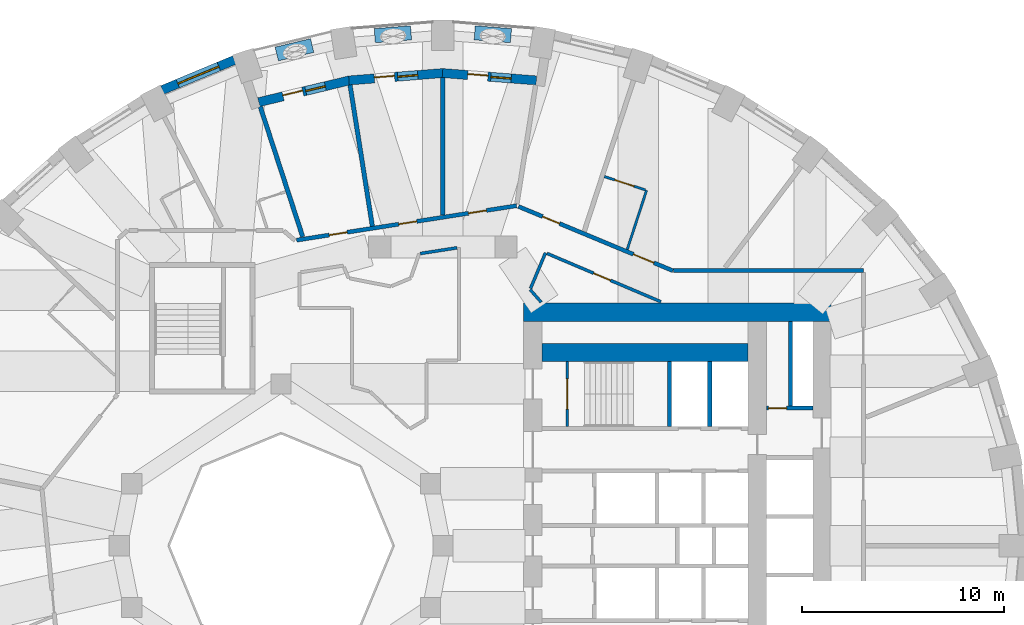
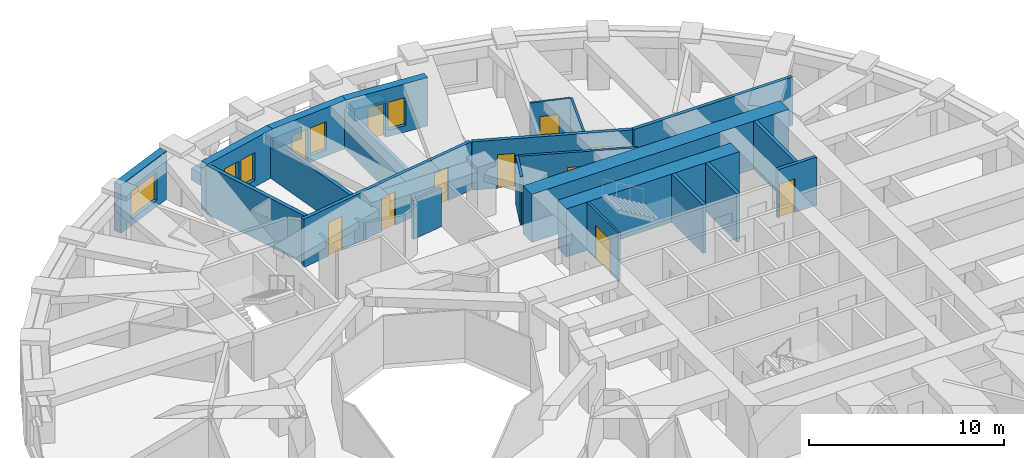
# One storey, part 8 of 13: 26 walls, 12 doors, 4 windows, 16 openings.
"""IFC4 building model written with IfcOpenShell, lengths in metres."""

from ifc_helpers import new_model, si_unit, direction, frame, frame_2d, origin, place, context, subcontext, project, spatial, rectangle, extrude, material, layer, layer_set, constituent, constituent_set, type_object, element, fill, save


model = new_model("IFC4")

# Units and contexts
model_context = context("Model", 3, precision=1e-05, world=origin(), true_north=direction((0.0, 1.0)))
body_context = subcontext(model_context, "Body", "Model", "MODEL_VIEW")
ifc_project = project(units=[si_unit("LENGTHUNIT", "METRE"), si_unit("AREAUNIT", "SQUARE_METRE"), si_unit("VOLUMEUNIT", "CUBIC_METRE"), si_unit("PLANEANGLEUNIT", "RADIAN"), si_unit("MASSUNIT", "GRAM", prefix="KILO")], contexts=[model_context])

# Site, building, storey
site_placement = place(None, origin())
site = spatial("IfcSite", under=ifc_project, at=site_placement, CompositionType="ELEMENT")
building_placement = place(site_placement, origin())
building = spatial("IfcBuilding", under=site, at=building_placement, Name="Taillehof Tower", CompositionType="ELEMENT")
storey_placement = place(building_placement, frame((0.0, 0.0, 51.39990234375)))
storey = spatial("IfcBuildingStorey", under=building, at=storey_placement, Name="L13", CompositionType="ELEMENT", Elevation=51.39990234375)

# Wall, opening, window
ifc_material_1 = material(Name="Brick masonry", Category="masonry")
ifc_layer_1 = layer(ifc_material_1, 0.449951171875)
ifc_layer_set_1 = layer_set([ifc_layer_1], Name="Brick infill wall 450")
wall_type_1 = type_object("IfcWallType", Name="Brick infill wall 450", PredefinedType="SOLIDWALL", material=ifc_layer_set_1)
wall_1_placement = place(storey_placement, frame((-10.3154296875, 24.02099609375, 0.0), z_axis=(0.0, 0.0, 1.0), x_axis=(-0.923031964282, -0.384723267966, 0.0)))
wall_1 = element("IfcWall", 1, at=wall_1_placement, inside=storey, type_object=wall_type_1, Name="Brick wall L13 bay 12", PredefinedType="SOLIDWALL", context=body_context, shape_type="SweptSolid", body=[
    extrude(rectangle(XDim=3.8564453125, YDim=0.449951171875, at=frame_2d((1.92822265625, 0.0))), origin(), (0.0, 0.0, 1.0), 3.02001953125),
])
opening_1_placement = place(wall_1_placement, frame((0.828125, 0.0, 0.39990234375)))
opening_1 = element("IfcOpeningElement", 2, at=opening_1_placement, cuts=wall_1, Name="Opening W1", PredefinedType="OPENING", context=body_context, shape_type="SweptSolid", body=[
    extrude(rectangle(XDim=2.199951171875, YDim=1.75, at=frame_2d((1.10009765625, 0.875))), frame((0.0, 0.23486328125, 0.0), z_axis=(0.0, -1.0, 0.0), x_axis=(1.0, 0.0, 0.0)), (0.0, 0.0, 1.0), 0.469970703125),
])
ifc_material_2 = material(Name="Aluminium window frame with clear double glazing", Category="aluminium")
window_type_1 = type_object("IfcWindowType", Name="Deep-set window 2200x1750", PartitioningType="SINGLE_PANEL", PredefinedType="WINDOW", material=ifc_material_2)
window_1_placement = place(opening_1_placement, origin())
window_1 = element("IfcWindow", 3, at=window_1_placement, inside=storey, type_object=window_type_1, Name="W1", OverallHeight=1.75, OverallWidth=2.199951171875, PartitioningType="SINGLE_PANEL", PredefinedType="WINDOW", context=body_context, shape_type="SweptSolid", body=[
    extrude(rectangle(XDim=2.199951171875, YDim=1.75, at=frame_2d((1.10009765625, 0.875))), frame((0.0, 0.034912109375, 0.0), z_axis=(0.0, -1.0, 0.0), x_axis=(1.0, 0.0, 0.0)), (0.0, 0.0, 1.0), 0.06005859375),
])
fill(opening_1, window_1)

# Wall, openings, door, window
wall_2_placement = place(storey_placement, frame((4.625732421875, 23.011474609375, 0.0), z_axis=(0.0, 0.0, 1.0), x_axis=(-0.996937095772, 0.078207589615, 0.0)))
wall_2 = element("IfcWall", 4, at=wall_2_placement, inside=storey, type_object=wall_type_1, Name="Brick wall L13 pocket bay 9", PredefinedType="SOLIDWALL", context=body_context, shape_type="SweptSolid", body=[
    extrude(rectangle(XDim=4.657470703125, YDim=0.449951171875, at=frame_2d((2.32861328125, 0.0))), origin(), (0.0, 0.0, 1.0), 3.02001953125),
])
opening_2_placement = place(wall_2_placement, frame((1.25390625, 0.0, 0.39990234375)))
opening_2 = element("IfcOpeningElement", 5, at=opening_2_placement, cuts=wall_2, Name="Opening W5", PredefinedType="OPENING", context=body_context, shape_type="SweptSolid", body=[
    extrude(rectangle(XDim=1.0, YDim=1.75, at=frame_2d((0.5, 0.875))), frame((0.0, 0.23486328125, 0.0), z_axis=(0.0, -1.0, 0.0), x_axis=(1.0, 0.0, 0.0)), (0.0, 0.0, 1.0), 0.469970703125),
])
opening_3_placement = place(wall_2_placement, frame((2.40380859375, 0.0, 0.0)))
opening_3 = element("IfcOpeningElement", 6, at=opening_3_placement, cuts=wall_2, Name="Opening D1391", PredefinedType="OPENING", context=body_context, shape_type="SweptSolid", body=[
    extrude(rectangle(XDim=1.0, YDim=2.14990234375, at=frame_2d((0.5, 1.074951171875))), frame((0.0, 0.23486328125, 0.0), z_axis=(0.0, -1.0, 0.0), x_axis=(1.0, 0.0, 0.0)), (0.0, 0.0, 1.0), 0.469970703125),
])
ifc_material_3 = material(Name="Aluminium door frame with clear double glazing", Category="aluminium")
door_type_1 = type_object("IfcDoorType", Name="Balcony door 1000x2150", OperationType="SINGLE_SWING_RIGHT", PredefinedType="DOOR", material=ifc_material_3)
door_1_placement = place(opening_3_placement, frame((1.0, 0.0, 0.0), z_axis=(0.0, 0.0, 1.0), x_axis=(-1.0, 0.0, 0.0)))
door_1 = element("IfcDoor", 7, at=door_1_placement, inside=storey, type_object=door_type_1, Name="Balcony door L13 bay 9", OperationType="SINGLE_SWING_RIGHT", OverallHeight=2.14990234375, OverallWidth=1.0, PredefinedType="DOOR", context=body_context, shape_type="SweptSolid", body=[
    extrude(rectangle(XDim=1.0, YDim=2.14990234375, at=frame_2d((0.5, 1.074951171875))), frame((0.0, 0.0751953125, 0.0), z_axis=(0.0, -1.0, 0.0), x_axis=(1.0, 0.0, 0.0)), (0.0, 0.0, 1.0), 0.050048828125),
])
fill(opening_3, door_1)
ifc_material_4 = material(Name="Aluminium window frame with clear double glazing", Category="aluminium")
window_type_2 = type_object("IfcWindowType", Name="Fixed window 1000x1750", PartitioningType="SINGLE_PANEL", PredefinedType="WINDOW", material=ifc_material_4)
window_2_placement = place(opening_2_placement, origin())
window_2 = element("IfcWindow", 8, at=window_2_placement, inside=storey, type_object=window_type_2, Name="W5", OverallHeight=1.75, OverallWidth=1.0, PartitioningType="SINGLE_PANEL", PredefinedType="WINDOW", context=body_context, shape_type="SweptSolid", body=[
    extrude(rectangle(XDim=1.0, YDim=1.75, at=frame_2d((0.5, 0.875))), frame((0.0, 0.034912109375, 0.0), z_axis=(0.0, -1.0, 0.0), x_axis=(1.0, 0.0, 0.0)), (0.0, 0.0, 1.0), 0.06005859375),
])
fill(opening_2, window_2)

wall_3_placement = place(storey_placement, frame((0.017578125, 23.375732421875, 0.0), z_axis=(0.0, 0.0, 1.0), x_axis=(-0.996935982964, -0.078221773648, 0.0)))
wall_3 = element("IfcWall", 9, at=wall_3_placement, inside=storey, type_object=wall_type_1, Name="Brick wall L13 pocket bay 10", PredefinedType="SOLIDWALL", context=body_context, shape_type="SweptSolid", body=[
    extrude(rectangle(XDim=4.675537109375, YDim=0.449951171875, at=frame_2d((2.337890625, 0.0))), origin(), (0.0, 0.0, 1.0), 3.02001953125),
])
opening_4_placement = place(wall_3_placement, frame((1.2626953125, 0.0, 0.39990234375)))
opening_4 = element("IfcOpeningElement", 10, at=opening_4_placement, cuts=wall_3, Name="Opening W5", PredefinedType="OPENING", context=body_context, shape_type="SweptSolid", body=[
    extrude(rectangle(XDim=1.0, YDim=1.75, at=frame_2d((0.5, 0.875))), frame((0.0, 0.23486328125, 0.0), z_axis=(0.0, -1.0, 0.0), x_axis=(1.0, 0.0, 0.0)), (0.0, 0.0, 1.0), 0.469970703125),
])
opening_5_placement = place(wall_3_placement, frame((2.41259765625, 0.0, 0.0)))
opening_5 = element("IfcOpeningElement", 11, at=opening_5_placement, cuts=wall_3, Name="Opening D1392", PredefinedType="OPENING", context=body_context, shape_type="SweptSolid", body=[
    extrude(rectangle(XDim=1.0, YDim=2.14990234375, at=frame_2d((0.5, 1.074951171875))), frame((0.0, 0.23486328125, 0.0), z_axis=(0.0, -1.0, 0.0), x_axis=(1.0, 0.0, 0.0)), (0.0, 0.0, 1.0), 0.469970703125),
])
door_2_placement = place(opening_5_placement, frame((1.0, 0.0, 0.0), z_axis=(0.0, 0.0, 1.0), x_axis=(-1.0, 0.0, 0.0)))
door_2 = element("IfcDoor", 12, at=door_2_placement, inside=storey, type_object=door_type_1, Name="Balcony door L13 bay 10", OperationType="SINGLE_SWING_LEFT", OverallHeight=2.14990234375, OverallWidth=1.0, PredefinedType="DOOR", context=body_context, shape_type="SweptSolid", body=[
    extrude(rectangle(XDim=1.0, YDim=2.14990234375, at=frame_2d((0.5, 1.074951171875))), frame((0.0, 0.0751953125, 0.0), z_axis=(0.0, -1.0, 0.0), x_axis=(1.0, 0.0, 0.0)), (0.0, 0.0, 1.0), 0.050048828125),
])
fill(opening_5, door_2)
window_3_placement = place(opening_4_placement, origin())
window_3 = element("IfcWindow", 13, at=window_3_placement, inside=storey, type_object=window_type_2, Name="W5", OverallHeight=1.75, OverallWidth=1.0, PartitioningType="SINGLE_PANEL", PredefinedType="WINDOW", context=body_context, shape_type="SweptSolid", body=[
    extrude(rectangle(XDim=1.0, YDim=1.75, at=frame_2d((0.5, 0.875))), frame((0.0, 0.034912109375, 0.0), z_axis=(0.0, -1.0, 0.0), x_axis=(1.0, 0.0, 0.0)), (0.0, 0.0, 1.0), 0.06005859375),
])
fill(opening_4, window_3)

wall_4_placement = place(storey_placement, frame((-4.6083984375, 23.015625, 0.0), z_axis=(0.0, 0.0, 1.0), x_axis=(-0.972343667289, -0.233554688847, 0.0)))
wall_4 = element("IfcWall", 14, at=wall_4_placement, inside=storey, type_object=wall_type_1, Name="Brick wall L13 pocket bay 11", PredefinedType="SOLIDWALL", context=body_context, shape_type="SweptSolid", body=[
    extrude(rectangle(XDim=4.62353515625, YDim=0.449951171875, at=frame_2d((2.311767578125, 0.0))), origin(), (0.0, 0.0, 1.0), 3.02001953125),
])
opening_6_placement = place(wall_4_placement, frame((1.23681640625, 0.0, 0.39990234375)))
opening_6 = element("IfcOpeningElement", 15, at=opening_6_placement, cuts=wall_4, Name="Opening W5", PredefinedType="OPENING", context=body_context, shape_type="SweptSolid", body=[
    extrude(rectangle(XDim=1.0, YDim=1.75, at=frame_2d((0.5, 0.875))), frame((0.0, 0.23486328125, 0.0), z_axis=(0.0, -1.0, 0.0), x_axis=(1.0, 0.0, 0.0)), (0.0, 0.0, 1.0), 0.469970703125),
])
opening_7_placement = place(wall_4_placement, frame((2.38671875, 0.0, 0.0)))
opening_7 = element("IfcOpeningElement", 16, at=opening_7_placement, cuts=wall_4, Name="Opening D1393", PredefinedType="OPENING", context=body_context, shape_type="SweptSolid", body=[
    extrude(rectangle(XDim=1.0, YDim=2.14990234375, at=frame_2d((0.5, 1.074951171875))), frame((0.0, 0.23486328125, 0.0), z_axis=(0.0, -1.0, 0.0), x_axis=(1.0, 0.0, 0.0)), (0.0, 0.0, 1.0), 0.469970703125),
])
door_3_placement = place(opening_7_placement, frame((1.0, 0.0, 0.0), z_axis=(0.0, 0.0, 1.0), x_axis=(-1.0, 0.0, 0.0)))
door_3 = element("IfcDoor", 17, at=door_3_placement, inside=storey, type_object=door_type_1, Name="Balcony door L13 bay 11", OperationType="SINGLE_SWING_LEFT", OverallHeight=2.14990234375, OverallWidth=1.0, PredefinedType="DOOR", context=body_context, shape_type="SweptSolid", body=[
    extrude(rectangle(XDim=1.0, YDim=2.14990234375, at=frame_2d((0.5, 1.074951171875))), frame((0.0, 0.0751953125, 0.0), z_axis=(0.0, -1.0, 0.0), x_axis=(1.0, 0.0, 0.0)), (0.0, 0.0, 1.0), 0.050048828125),
])
fill(opening_7, door_3)
window_4_placement = place(opening_6_placement, origin())
window_4 = element("IfcWindow", 18, at=window_4_placement, inside=storey, type_object=window_type_2, Name="W5", OverallHeight=1.75, OverallWidth=1.0, PartitioningType="SINGLE_PANEL", PredefinedType="WINDOW", context=body_context, shape_type="SweptSolid", body=[
    extrude(rectangle(XDim=1.0, YDim=1.75, at=frame_2d((0.5, 0.875))), frame((0.0, 0.034912109375, 0.0), z_axis=(0.0, -1.0, 0.0), x_axis=(1.0, 0.0, 0.0)), (0.0, 0.0, 1.0), 0.06005859375),
])
fill(opening_6, window_4)

# Wall, opening, door
ifc_material_5 = material(Name="Calcium silicate masonry", Category="masonry")
ifc_layer_2 = layer(ifc_material_5, 0.199951171875)
ifc_layer_set_2 = layer_set([ifc_layer_2], Name="Compartment wall calcium silicate 200")
wall_type_2 = type_object("IfcWallType", Name="Compartment wall calcium silicate 200", PredefinedType="PARTITIONING", material=ifc_layer_set_2)
wall_5_placement = place(storey_placement, frame((16.0, 6.800048828125, 0.0), z_axis=(0.0, 0.0, 1.0), x_axis=(1.0, 0.0, 0.0)))
wall_5 = element("IfcWall", 19, at=wall_5_placement, inside=storey, type_object=wall_type_2, Name="Compartment wall FW", PredefinedType="PARTITIONING", context=body_context, shape_type="SweptSolid", body=[
    extrude(rectangle(XDim=2.300048828125, YDim=0.199951171875, at=frame_2d((1.14990234375, 0.0))), origin(), (0.0, 0.0, 1.0), 3.02001953125),
])
opening_8_placement = place(wall_5_placement, frame((0.10009765625, 0.0, 0.0)))
opening_8 = element("IfcOpeningElement", 20, at=opening_8_placement, cuts=wall_5, Name="Opening D1316", PredefinedType="OPENING", context=body_context, shape_type="SweptSolid", body=[
    extrude(rectangle(XDim=0.89990234375, YDim=2.10009765625, at=frame_2d((0.449951171875, 1.050048828125))), frame((0.0, 0.10986328125, 0.0), z_axis=(0.0, -1.0, 0.0), x_axis=(1.0, 0.0, 0.0)), (0.0, 0.0, 1.0), 0.219970703125),
])
ifc_material_6 = material(Name="Steel-faced fire door", Category="steel")
door_type_2 = type_object("IfcDoorType", Name="Riser and service room door 900x2100", OperationType="SINGLE_SWING_LEFT", PredefinedType="DOOR", material=ifc_material_6)
door_4_placement = place(opening_8_placement, origin())
door_4 = element("IfcDoor", 21, at=door_4_placement, inside=storey, type_object=door_type_2, Name="Door Pump Room", OperationType="SINGLE_SWING_RIGHT", OverallHeight=2.10009765625, OverallWidth=0.89990234375, PredefinedType="DOOR", context=body_context, shape_type="SweptSolid", body=[
    extrude(rectangle(XDim=0.89990234375, YDim=2.10009765625, at=frame_2d((0.449951171875, 1.050048828125))), frame((0.0, 0.02490234375, 0.0), z_axis=(0.0, -1.0, 0.0), x_axis=(1.0, 0.0, 0.0)), (0.0, 0.0, 1.0), 0.050048828125),
])
fill(opening_8, door_4)

# Wall
wall_6_placement = place(storey_placement, frame((17.199951171875, 6.89990234375, 0.0), z_axis=(0.0, 0.0, 1.0), x_axis=(0.0, 1.0, 0.0)))
element("IfcWall", 22, at=wall_6_placement, inside=storey, type_object=wall_type_2, Name="Compartment wall FW", PredefinedType="PARTITIONING", context=body_context, shape_type="SweptSolid", body=[
    extrude(rectangle(XDim=4.2001953125, YDim=0.199951171875, at=frame_2d((2.10009765625, 0.0))), origin(), (0.0, 0.0, 1.0), 3.02001953125),
])

# Wall, openings, doors
ifc_material_7 = material(Name="Gypsum board on steel studs, two layers each side", Category="steel")
ifc_layer_3 = layer(ifc_material_7, 0.199951171875)
ifc_layer_set_3 = layer_set([ifc_layer_3], Name="Compartment wall corridor 200")
wall_type_3 = type_object("IfcWallType", Name="Compartment wall corridor 200", PredefinedType="PARTITIONING", material=ifc_layer_set_3)
wall_7_placement = place(storey_placement, frame((-7.233642578125, 15.1103515625, 0.0), z_axis=(0.0, 0.0, 1.0), x_axis=(0.987957763282, 0.154723811906, 0.0)))
wall_7 = element("IfcWall", 23, at=wall_7_placement, inside=storey, type_object=wall_type_3, Name="Compartment wall", PredefinedType="PARTITIONING", context=body_context, shape_type="SweptSolid", body=[
    extrude(rectangle(XDim=11.01220703125, YDim=0.199951171875, at=frame_2d((5.506103515625, 0.0))), origin(), (0.0, 0.0, 1.0), 3.02001953125),
])
opening_9_placement = place(wall_7_placement, frame((8.604736328125, 0.0, 0.0)))
opening_9 = element("IfcOpeningElement", 24, at=opening_9_placement, cuts=wall_7, Name="Opening D1343", PredefinedType="OPENING", context=body_context, shape_type="SweptSolid", body=[
    extrude(rectangle(XDim=0.89990234375, YDim=2.10009765625, at=frame_2d((0.449951171875, 1.050048828125))), frame((0.0, 0.10986328125, 0.0), z_axis=(0.0, -1.0, 0.0), x_axis=(1.0, 0.0, 0.0)), (0.0, 0.0, 1.0), 0.219970703125),
])
opening_10_placement = place(wall_7_placement, frame((5.11572265625, 0.0, 0.0)))
opening_10 = element("IfcOpeningElement", 25, at=opening_10_placement, cuts=wall_7, Name="Opening D1344", PredefinedType="OPENING", context=body_context, shape_type="SweptSolid", body=[
    extrude(rectangle(XDim=0.89990234375, YDim=2.10009765625, at=frame_2d((0.449951171875, 1.050048828125))), frame((0.0, 0.10986328125, 0.0), z_axis=(0.0, -1.0, 0.0), x_axis=(1.0, 0.0, 0.0)), (0.0, 0.0, 1.0), 0.219970703125),
])
opening_11_placement = place(wall_7_placement, frame((1.62646484375, 0.0, 0.0)))
opening_11 = element("IfcOpeningElement", 26, at=opening_11_placement, cuts=wall_7, Name="Opening D1345", PredefinedType="OPENING", context=body_context, shape_type="SweptSolid", body=[
    extrude(rectangle(XDim=0.89990234375, YDim=2.10009765625, at=frame_2d((0.449951171875, 1.050048828125))), frame((0.0, 0.10986328125, 0.0), z_axis=(0.0, -1.0, 0.0), x_axis=(1.0, 0.0, 0.0)), (0.0, 0.0, 1.0), 0.219970703125),
])
ifc_material_8 = material(Name="Timber door leaf in steel frame", Category="steel")
door_type_3 = type_object("IfcDoorType", Name="Service room door EI 30 900 x 2100", OperationType="SINGLE_SWING_LEFT", PredefinedType="DOOR", material=ifc_material_8)
door_5_placement = place(opening_9_placement, origin())
door_5 = element("IfcDoor", 27, at=door_5_placement, inside=storey, type_object=door_type_3, Name="D1343", OperationType="SINGLE_SWING_LEFT", OverallHeight=2.10009765625, OverallWidth=0.89990234375, PredefinedType="DOOR", context=body_context, shape_type="SweptSolid", body=[
    extrude(rectangle(XDim=0.89990234375, YDim=2.10009765625, at=frame_2d((0.449951171875, 1.050048828125))), frame((0.0, 0.02490234375, 0.0), z_axis=(0.0, -1.0, 0.0), x_axis=(1.0, 0.0, 0.0)), (0.0, 0.0, 1.0), 0.050048828125),
])
fill(opening_9, door_5)
door_6_placement = place(opening_10_placement, origin())
door_6 = element("IfcDoor", 28, at=door_6_placement, inside=storey, type_object=door_type_3, Name="D1344", OperationType="SINGLE_SWING_LEFT", OverallHeight=2.10009765625, OverallWidth=0.89990234375, PredefinedType="DOOR", context=body_context, shape_type="SweptSolid", body=[
    extrude(rectangle(XDim=0.89990234375, YDim=2.10009765625, at=frame_2d((0.449951171875, 1.050048828125))), frame((0.0, 0.02490234375, 0.0), z_axis=(0.0, -1.0, 0.0), x_axis=(1.0, 0.0, 0.0)), (0.0, 0.0, 1.0), 0.050048828125),
])
fill(opening_10, door_6)
door_7_placement = place(opening_11_placement, origin())
door_7 = element("IfcDoor", 29, at=door_7_placement, inside=storey, type_object=door_type_3, Name="D1345", OperationType="SINGLE_SWING_RIGHT", OverallHeight=2.10009765625, OverallWidth=0.89990234375, PredefinedType="DOOR", context=body_context, shape_type="SweptSolid", body=[
    extrude(rectangle(XDim=0.89990234375, YDim=2.10009765625, at=frame_2d((0.449951171875, 1.050048828125))), frame((0.0, 0.02490234375, 0.0), z_axis=(0.0, -1.0, 0.0), x_axis=(1.0, 0.0, 0.0)), (0.0, 0.0, 1.0), 0.050048828125),
])
fill(opening_11, door_7)

wall_8_placement = place(storey_placement, frame((3.73876953125, 16.7763671875, 0.0), z_axis=(0.0, 0.0, 1.0), x_axis=(0.923364778497, -0.383923802117, 0.0)))
wall_8 = element("IfcWall", 30, at=wall_8_placement, inside=storey, type_object=wall_type_3, Name="Compartment wall", PredefinedType="PARTITIONING", context=body_context, shape_type="SweptSolid", body=[
    extrude(rectangle(XDim=8.273193359375, YDim=0.199951171875, at=frame_2d((4.13671875, 0.0))), origin(), (0.0, 0.0, 1.0), 3.02001953125),
])
opening_12_placement = place(wall_8_placement, frame((6.152587890625, 0.0, 0.0)))
opening_12 = element("IfcOpeningElement", 31, at=opening_12_placement, cuts=wall_8, Name="Opening D1340", PredefinedType="OPENING", context=body_context, shape_type="SweptSolid", body=[
    extrude(rectangle(XDim=1.10009765625, YDim=2.10009765625, at=frame_2d((0.550048828125, 1.050048828125))), frame((0.0, 0.10986328125, 0.0), z_axis=(0.0, -1.0, 0.0), x_axis=(1.0, 0.0, 0.0)), (0.0, 0.0, 1.0), 0.219970703125),
])
opening_13_placement = place(wall_8_placement, frame((1.2978515625, 0.0, 0.0)))
opening_13 = element("IfcOpeningElement", 32, at=opening_13_placement, cuts=wall_8, Name="Opening D1342", PredefinedType="OPENING", context=body_context, shape_type="SweptSolid", body=[
    extrude(rectangle(XDim=0.89990234375, YDim=2.10009765625, at=frame_2d((0.449951171875, 1.050048828125))), frame((0.0, 0.10986328125, 0.0), z_axis=(0.0, -1.0, 0.0), x_axis=(1.0, 0.0, 0.0)), (0.0, 0.0, 1.0), 0.219970703125),
])
ifc_material_9 = material(Name="Timber door leaf in steel frame", Category="steel")
door_type_4 = type_object("IfcDoorType", Name="Accessible guest room door EI 30 1100 x 2100", OperationType="SINGLE_SWING_LEFT", PredefinedType="DOOR", material=ifc_material_9)
door_8_placement = place(opening_12_placement, origin())
door_8 = element("IfcDoor", 33, at=door_8_placement, inside=storey, type_object=door_type_4, Name="D1340", OperationType="SINGLE_SWING_LEFT", OverallHeight=2.10009765625, OverallWidth=1.10009765625, PredefinedType="DOOR", context=body_context, shape_type="SweptSolid", body=[
    extrude(rectangle(XDim=1.10009765625, YDim=2.10009765625, at=frame_2d((0.550048828125, 1.050048828125))), frame((0.0, 0.02490234375, 0.0), z_axis=(0.0, -1.0, 0.0), x_axis=(1.0, 0.0, 0.0)), (0.0, 0.0, 1.0), 0.050048828125),
])
fill(opening_12, door_8)
door_9_placement = place(opening_13_placement, origin())
door_9 = element("IfcDoor", 34, at=door_9_placement, inside=storey, type_object=door_type_3, Name="D1342", OperationType="SINGLE_SWING_RIGHT", OverallHeight=2.10009765625, OverallWidth=0.89990234375, PredefinedType="DOOR", context=body_context, shape_type="SweptSolid", body=[
    extrude(rectangle(XDim=0.89990234375, YDim=2.10009765625, at=frame_2d((0.449951171875, 1.050048828125))), frame((0.0, 0.02490234375, 0.0), z_axis=(0.0, -1.0, 0.0), x_axis=(1.0, 0.0, 0.0)), (0.0, 0.0, 1.0), 0.050048828125),
])
fill(opening_13, door_9)

# Walls
wall_9_placement = place(storey_placement, frame((11.41796875, 13.60009765625, 0.0), z_axis=(0.0, 0.0, 1.0), x_axis=(1.0, 0.0, 0.0)))
element("IfcWall", 35, at=wall_9_placement, inside=storey, type_object=wall_type_3, Name="Compartment wall", PredefinedType="PARTITIONING", context=body_context, shape_type="SweptSolid", body=[
    extrude(rectangle(XDim=9.382080078125, YDim=0.199951171875, at=frame_2d((4.69091796875, 0.0))), origin(), (0.0, 0.0, 1.0), 3.02001953125),
])
ifc_material_10 = material(Name="Gypsum board on double steel studs with mineral wool", Category="steel")
ifc_layer_4 = layer(ifc_material_10, 0.219970703125)
ifc_layer_set_4 = layer_set([ifc_layer_4], Name="Compartment wall guest room 220")
wall_type_4 = type_object("IfcWallType", Name="Compartment wall guest room 220", PredefinedType="PARTITIONING", material=ifc_layer_set_4)
wall_10_placement = place(storey_placement, frame((0.0, 23.148681640625, 0.0), z_axis=(0.0, 0.0, 1.0), x_axis=(0.0, -1.0, 0.0)))
element("IfcWall", 36, at=wall_10_placement, inside=storey, type_object=wall_type_4, Name="Compartment wall", PredefinedType="PARTITIONING", context=body_context, shape_type="SweptSolid", body=[
    extrude(rectangle(XDim=6.784423828125, YDim=0.219970703125, at=frame_2d((3.39208984375, 0.0))), origin(), (0.0, 0.0, 1.0), 2.47021484375),
])
wall_11_placement = place(storey_placement, frame((-4.590576171875, 22.78857421875, 0.0), z_axis=(0.0, 0.0, 1.0), x_axis=(0.15613617795, -0.987735538459, 0.0)))
element("IfcWall", 37, at=wall_11_placement, inside=storey, type_object=wall_type_4, Name="Compartment wall", PredefinedType="PARTITIONING", context=body_context, shape_type="SweptSolid", body=[
    extrude(rectangle(XDim=7.0771484375, YDim=0.219970703125, at=frame_2d((3.53857421875, 0.0))), origin(), (0.0, 0.0, 1.0), 2.47021484375),
])
wall_12_placement = place(storey_placement, frame((-9.033935546875, 21.72119140625, 0.0), z_axis=(0.0, 0.0, 1.0), x_axis=(0.310212430052, -0.950667264736, 0.0)))
element("IfcWall", 38, at=wall_12_placement, inside=storey, type_object=wall_type_4, Name="Compartment wall", PredefinedType="PARTITIONING", context=body_context, shape_type="SweptSolid", body=[
    extrude(rectangle(XDim=6.77685546875, YDim=0.219970703125, at=frame_2d((3.388427734375, 0.0))), origin(), (0.0, 0.0, 1.0), 3.02001953125),
])
ifc_material_11 = material(Name="Gypsum board on steel studs, two layers each side", Category="steel")
ifc_layer_5 = layer(ifc_material_11, 0.14990234375)
ifc_layer_set_5 = layer_set([ifc_layer_5], Name="Compartment wall service room 150")
wall_type_5 = type_object("IfcWallType", Name="Compartment wall service room 150", PredefinedType="PARTITIONING", material=ifc_layer_set_5)
wall_13_placement = place(storey_placement, frame((-1.116455078125, 14.448974609375, 0.0), z_axis=(0.0, 0.0, 1.0), x_axis=(0.988017726025, 0.154340445315, 0.0)))
element("IfcWall", 39, at=wall_13_placement, inside=storey, type_object=wall_type_5, Name="Compartment wall", PredefinedType="PARTITIONING", context=body_context, shape_type="SweptSolid", body=[
    extrude(rectangle(XDim=1.839599609375, YDim=0.14990234375, at=frame_2d((0.919921875, 0.0))), origin(), (0.0, 0.0, 1.0), 2.420166015625),
])
wall_14_placement = place(storey_placement, frame((4.864501953125, 12.04150390625, 0.0), z_axis=(0.0, 0.0, 1.0), x_axis=(-0.660014599896, 0.751252772323, 0.0)))
element("IfcWall", 40, at=wall_14_placement, inside=storey, type_object=wall_type_5, Name="Compartment wall", PredefinedType="PARTITIONING", context=body_context, shape_type="SweptSolid", body=[
    extrude(rectangle(XDim=0.8349609375, YDim=0.14990234375, at=frame_2d((0.41748046875, 0.0))), origin(), (0.0, 0.0, 1.0), 2.570068359375),
])
wall_15_placement = place(storey_placement, frame((4.3369140625, 12.724365234375, 0.0), z_axis=(0.0, 0.0, 1.0), x_axis=(0.386537433901, 0.922273718694, 0.0)))
element("IfcWall", 41, at=wall_15_placement, inside=storey, type_object=wall_type_5, Name="Compartment wall", PredefinedType="PARTITIONING", context=body_context, shape_type="SweptSolid", body=[
    extrude(rectangle(XDim=1.9111328125, YDim=0.14990234375, at=frame_2d((0.95556640625, 0.0))), origin(), (0.0, 0.0, 1.0), 3.02001953125),
])

# Wall, opening, door
wall_16_placement = place(storey_placement, frame((5.14892578125, 14.455810546875, 0.0), z_axis=(0.0, 0.0, 1.0), x_axis=(0.920541383735, -0.390645057348, 0.0)))
wall_16 = element("IfcWall", 42, at=wall_16_placement, inside=storey, type_object=wall_type_5, Name="Compartment wall", PredefinedType="PARTITIONING", context=body_context, shape_type="SweptSolid", body=[
    extrude(rectangle(XDim=6.1240234375, YDim=0.14990234375, at=frame_2d((3.06201171875, 0.0))), origin(), (0.0, 0.0, 1.0), 3.02001953125),
])
opening_14_placement = place(wall_16_placement, frame((2.508056640625, 0.0, 0.0)))
opening_14 = element("IfcOpeningElement", 43, at=opening_14_placement, cuts=wall_16, Name="Opening D1369", PredefinedType="OPENING", context=body_context, shape_type="SweptSolid", body=[
    extrude(rectangle(XDim=0.89990234375, YDim=2.10009765625, at=frame_2d((0.449951171875, 1.050048828125))), frame((0.0, 0.0849609375, 0.0), z_axis=(0.0, -1.0, 0.0), x_axis=(1.0, 0.0, 0.0)), (0.0, 0.0, 1.0), 0.169921875),
])
door_10_placement = place(opening_14_placement, origin())
door_10 = element("IfcDoor", 44, at=door_10_placement, inside=storey, type_object=door_type_3, Name="D1369", OperationType="SINGLE_SWING_RIGHT", OverallHeight=2.10009765625, OverallWidth=0.89990234375, PredefinedType="DOOR", context=body_context, shape_type="SweptSolid", body=[
    extrude(rectangle(XDim=0.89990234375, YDim=2.10009765625, at=frame_2d((0.449951171875, 1.050048828125))), frame((0.0, 0.02490234375, 0.0), z_axis=(0.0, -1.0, 0.0), x_axis=(1.0, 0.0, 0.0)), (0.0, 0.0, 1.0), 0.050048828125),
])
fill(opening_14, door_10)

# Walls
ifc_material_12 = material(Name="Concrete C80/95", Category="concrete")
ifc_layer_6 = layer(ifc_material_12, 0.89990234375)
ifc_layer_set_6 = layer_set([ifc_layer_6], Name="Core wall C80/95 900")
wall_type_6 = type_object("IfcWallType", Name="Core wall C80/95 900", PredefinedType="SHEAR", material=ifc_layer_set_6)
wall_17_placement = place(storey_placement, frame((4.0, 11.550048828125, 0.0), z_axis=(0.0, 0.0, 1.0), x_axis=(1.0, 0.0, 0.0)))
element("IfcWall", 45, at=wall_17_placement, inside=storey, type_object=wall_type_6, Name="Core wall CW03", PredefinedType="SHEAR", context=body_context, shape_type="SweptSolid", body=[
    extrude(rectangle(XDim=15.199951171875, YDim=0.89990234375, at=frame_2d((7.60009765625, 0.0))), origin(), (0.0, 0.0, 1.0), 3.02001953125),
])
wall_18_placement = place(storey_placement, frame((4.89990234375, 9.550048828125, 0.0), z_axis=(0.0, 0.0, 1.0), x_axis=(1.0, 0.0, 0.0)))
element("IfcWall", 46, at=wall_18_placement, inside=storey, type_object=wall_type_6, Name="Core wall CW06", PredefinedType="SHEAR", context=body_context, shape_type="SweptSolid", body=[
    extrude(rectangle(XDim=10.2001953125, YDim=0.89990234375, at=frame_2d((5.10009765625, 0.0))), origin(), (0.0, 0.0, 1.0), 3.02001953125),
])
ifc_material_13 = material(Name="Gypsum board on steel studs, moisture resistant", Category="steel")
ifc_layer_7 = layer(ifc_material_13, 0.1201171875)
ifc_layer_set_7 = layer_set([ifc_layer_7], Name="En-suite wall 120")
wall_type_7 = type_object("IfcWallType", Name="En-suite wall 120", PredefinedType="PARTITIONING", material=ifc_layer_set_7)
wall_19_placement = place(storey_placement, frame((9.118408203125, 14.647705078125, 0.0), z_axis=(0.0, 0.0, 1.0), x_axis=(0.310277544614, 0.950646014723, 0.0)))
element("IfcWall", 47, at=wall_19_placement, inside=storey, type_object=wall_type_7, Name="En-suite wall", PredefinedType="PARTITIONING", context=body_context, shape_type="SweptSolid", body=[
    extrude(rectangle(XDim=3.08056640625, YDim=0.1201171875, at=frame_2d((1.540283203125, 0.0))), origin(), (0.0, 0.0, 1.0), 3.02001953125),
])

# Wall, opening, door
wall_20_placement = place(storey_placement, frame((10.01708984375, 17.594482421875, 0.0), z_axis=(0.0, 0.0, 1.0), x_axis=(-0.950613738429, 0.310376417129, 0.0)))
wall_20 = element("IfcWall", 48, at=wall_20_placement, inside=storey, type_object=wall_type_7, Name="En-suite wall", PredefinedType="PARTITIONING", context=body_context, shape_type="SweptSolid", body=[
    extrude(rectangle(XDim=2.130126953125, YDim=0.1201171875, at=frame_2d((1.06494140625, 0.0))), origin(), (0.0, 0.0, 1.0), 3.02001953125),
])
opening_15_placement = place(wall_20_placement, frame((0.590087890625, 0.0, 0.0)))
opening_15 = element("IfcOpeningElement", 49, at=opening_15_placement, cuts=wall_20, Name="Opening D1341", PredefinedType="OPENING", context=body_context, shape_type="SweptSolid", body=[
    extrude(rectangle(XDim=1.0, YDim=2.10009765625, at=frame_2d((0.5, 1.050048828125))), frame((0.0, 0.070068359375, 0.0), z_axis=(0.0, -1.0, 0.0), x_axis=(1.0, 0.0, 0.0)), (0.0, 0.0, 1.0), 0.14013671875),
])
ifc_material_14 = material(Name="Timber door leaf in steel frame", Category="steel")
door_type_5 = type_object("IfcDoorType", Name="Accessible en-suite door 1000 x 2100", OperationType="SINGLE_SWING_LEFT", PredefinedType="DOOR", material=ifc_material_14)
door_11_placement = place(opening_15_placement, origin())
door_11 = element("IfcDoor", 50, at=door_11_placement, inside=storey, type_object=door_type_5, Name="D1341", OperationType="SINGLE_SWING_LEFT", OverallHeight=2.10009765625, OverallWidth=1.0, PredefinedType="DOOR", context=body_context, shape_type="SweptSolid", body=[
    extrude(rectangle(XDim=1.0, YDim=2.10009765625, at=frame_2d((0.5, 1.050048828125))), frame((0.0, 0.02490234375, 0.0), z_axis=(0.0, -1.0, 0.0), x_axis=(1.0, 0.0, 0.0)), (0.0, 0.0, 1.0), 0.050048828125),
])
fill(opening_15, door_11)

# Walls
ifc_material_15 = material(Name="Concrete C30/37 precast", Category="concrete")
ifc_constituent_1 = constituent(ifc_material_15, Name="Structure", Category="concrete")
ifc_material_16 = material(Name="Insulated lining")
ifc_constituent_2 = constituent(ifc_material_16, Name="Lining")
ifc_constituent_set = constituent_set(constituents=[ifc_constituent_1, ifc_constituent_2], Name="Planter trough 700x750")
wall_type_8 = type_object("IfcWallType", Name="Planter trough 700x750", PredefinedType="USERDEFINED", material=ifc_constituent_set)
for number, where, z_axis, x_axis, name in (
    (51, (3.368896484375, 25.22509765625, 0.0), (0.0, 0.0, 1.0), (-0.996965267018, 0.077847648384, 0.0), "Planter L13 bay 9"),
    (52, (-1.57421875, 25.365234375, 0.0), (0.0, 0.0, 1.0), (-0.996965267018, -0.077847648384, 0.0), "Planter L13 bay 10"),
    (53, (-6.464599609375, 24.7373046875, 0.0), (0.0, 0.0, 1.0), (-0.972504142103, -0.232885580473, 0.0), "Planter L13 bay 11"),
):
    element("IfcWall", number, at=place(storey_placement, frame(where, z_axis=z_axis, x_axis=x_axis)), inside=storey, type_object=wall_type_8, Name=name, ObjectType="PLANTER", PredefinedType="USERDEFINED", context=body_context, shape_type="SweptSolid", body=[
        extrude(rectangle(XDim=1.800048828125, YDim=0.699951171875, at=frame_2d((0.89990234375, 0.0))), origin(), (0.0, 0.0, 1.0), 0.75),
    ])
ifc_material_17 = material(Name="Concrete C50/60", Category="concrete")
ifc_layer_8 = layer(ifc_material_17, 0.199951171875)
ifc_layer_set_8 = layer_set([ifc_layer_8], Name="Shaft wall C50/60 200")
wall_type_9 = type_object("IfcWallType", Name="Shaft wall C50/60 200", PredefinedType="SHEAR", material=ifc_layer_set_8)
for number, where, z_axis, x_axis, name in (
    (54, (11.199951171875, 5.89990234375, 0.0), (0.0, 0.0, 1.0), (0.0, 1.0, 0.0), "Shaft wall SW"),
    (55, (13.199951171875, 5.89990234375, 0.0), (0.0, 0.0, 1.0), (0.0, 1.0, 0.0), "Shaft wall SW"),
):
    element("IfcWall", number, at=place(storey_placement, frame(where, z_axis=z_axis, x_axis=x_axis)), inside=storey, type_object=wall_type_9, Name=name, PredefinedType="SHEAR", context=body_context, shape_type="SweptSolid", body=[
        extrude(rectangle(XDim=3.2001953125, YDim=0.199951171875, at=frame_2d((1.60009765625, 0.0))), origin(), (0.0, 0.0, 1.0), 3.02001953125),
    ])

# Wall, opening, door
ifc_material_18 = material(Name="Concrete C50/60", Category="concrete")
ifc_layer_9 = layer(ifc_material_18, 0.1201171875)
ifc_layer_set_9 = layer_set([ifc_layer_9], Name="Stair lobby wall C50/60 120")
wall_type_10 = type_object("IfcWallType", Name="Stair lobby wall C50/60 120", PredefinedType="SHEAR", material=ifc_layer_set_9)
wall_21_placement = place(storey_placement, frame((6.159912109375, 5.89990234375, 0.0), z_axis=(0.0, 0.0, 1.0), x_axis=(0.0, 1.0, 0.0)))
wall_21 = element("IfcWall", 56, at=wall_21_placement, inside=storey, type_object=wall_type_10, Name="Compartment wall SW", PredefinedType="SHEAR", context=body_context, shape_type="SweptSolid", body=[
    extrude(rectangle(XDim=3.2001953125, YDim=0.1201171875, at=frame_2d((1.60009765625, 0.0))), origin(), (0.0, 0.0, 1.0), 3.02001953125),
])
opening_16_placement = place(wall_21_placement, frame((0.85009765625, 0.0, 0.0)))
opening_16 = element("IfcOpeningElement", 57, at=opening_16_placement, cuts=wall_21, Name="Opening D1310", PredefinedType="OPENING", context=body_context, shape_type="SweptSolid", body=[
    extrude(rectangle(XDim=1.5, YDim=2.10009765625, at=frame_2d((0.75, 1.050048828125))), frame((0.0, 0.070068359375, 0.0), z_axis=(0.0, -1.0, 0.0), x_axis=(1.0, 0.0, 0.0)), (0.0, 0.0, 1.0), 0.14013671875),
])
ifc_material_19 = material(Name="Steel-faced fire door", Category="steel")
door_type_6 = type_object("IfcDoorType", Name="Stair door 1500x2100", OperationType="DOUBLE_DOOR_SINGLE_SWING", PredefinedType="DOOR", material=ifc_material_19)
door_12_placement = place(opening_16_placement, origin())
door_12 = element("IfcDoor", 58, at=door_12_placement, inside=storey, type_object=door_type_6, Name="Stair lobby door S1", OperationType="DOUBLE_DOOR_SINGLE_SWING", OverallHeight=2.10009765625, OverallWidth=1.5, PredefinedType="DOOR", context=body_context, shape_type="SweptSolid", body=[
    extrude(rectangle(XDim=1.5, YDim=2.10009765625, at=frame_2d((0.75, 1.050048828125))), frame((0.0, 0.02490234375, 0.0), z_axis=(0.0, -1.0, 0.0), x_axis=(1.0, 0.0, 0.0)), (0.0, 0.0, 1.0), 0.050048828125),
])
fill(opening_16, door_12)

save(model, "model.ifc")
